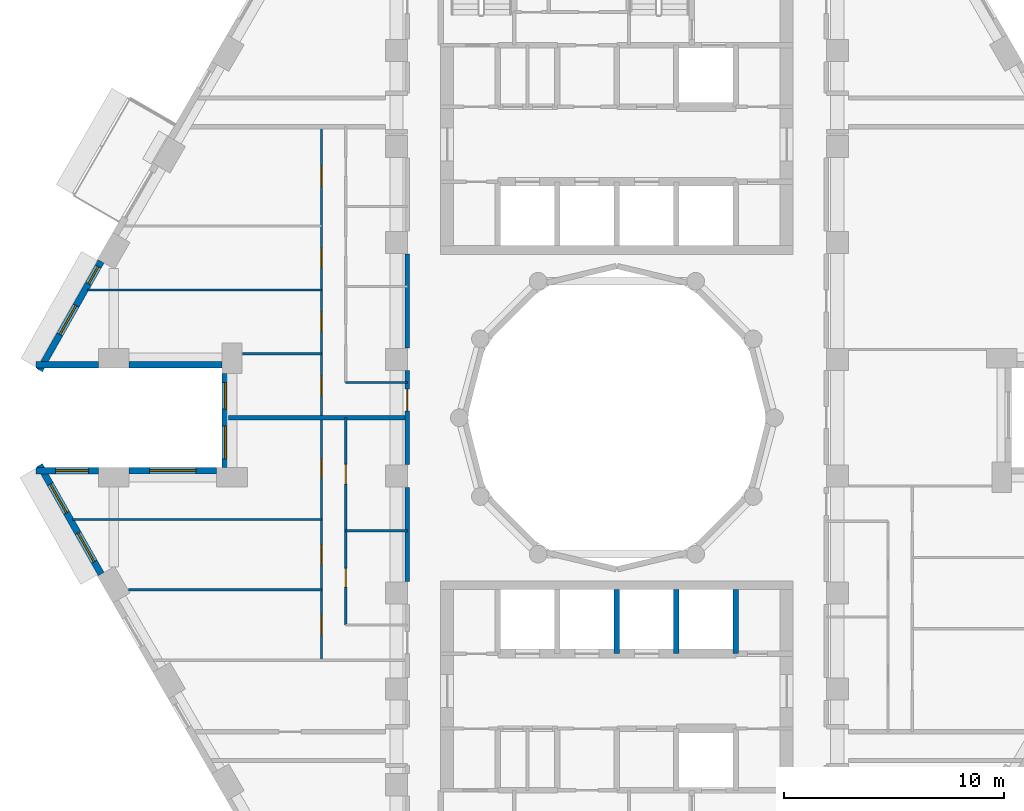
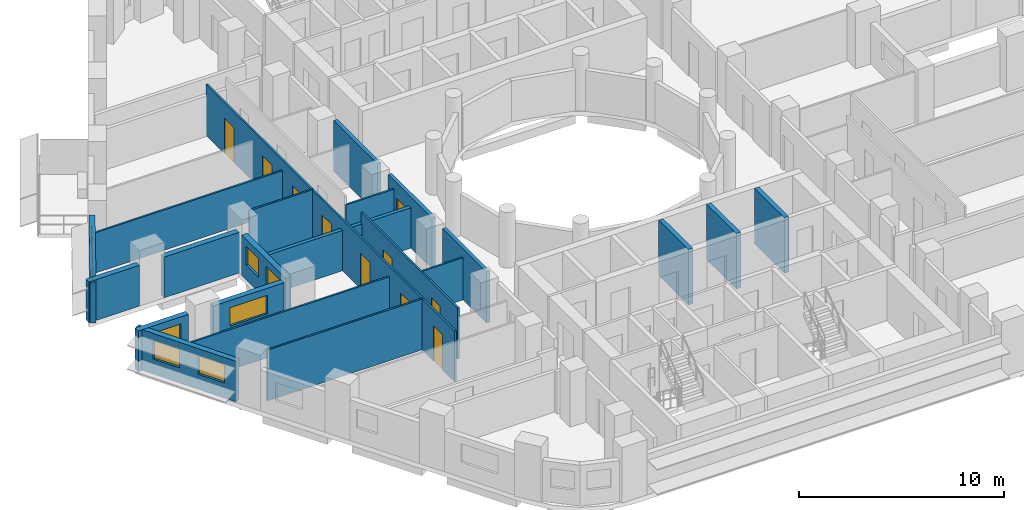
# One storey, part 4 of 14: 22 walls, 10 doors, 8 windows, 18 openings.
"""IFC4 building model written with IfcOpenShell, lengths in metres."""

from ifc_helpers import new_model, si_unit, direction, frame, frame_2d, origin, place, context, subcontext, project, spatial, rectangle, extrude, material, layer, layer_set, type_object, element, fill, save


model = new_model("IFC4")

# Units and contexts
model_context = context("Model", 3, precision=1e-05, world=origin(), true_north=direction((0.0, 1.0)))
body_context = subcontext(model_context, "Body", "Model", "MODEL_VIEW")
ifc_project = project(units=[si_unit("LENGTHUNIT", "METRE"), si_unit("AREAUNIT", "SQUARE_METRE"), si_unit("VOLUMEUNIT", "CUBIC_METRE"), si_unit("PLANEANGLEUNIT", "RADIAN"), si_unit("MASSUNIT", "GRAM", prefix="KILO")], contexts=[model_context])

# Site, building, storey
site_placement = place(None, origin())
site = spatial("IfcSite", under=ifc_project, at=site_placement, CompositionType="ELEMENT")
building_placement = place(site_placement, origin())
building = spatial("IfcBuilding", under=site, at=building_placement, Name="Nakaniwa Court", CompositionType="ELEMENT")
storey_placement = place(building_placement, frame((0.0, 0.0, 110.699951171875)))
storey = spatial("IfcBuildingStorey", under=building, at=storey_placement, Name="L29", CompositionType="ELEMENT", Elevation=110.699951171875)

# Wall
ifc_material_1 = material(Name="Acoustic double stud partition")
ifc_layer_1 = layer(ifc_material_1, 0.199951171875)
ifc_layer_set_1 = layer_set([ifc_layer_1], Name="Acoustic double stud partition")
wall_type_1 = type_object("IfcWallType", Name="Acoustic double stud partition 200", PredefinedType="PARTITIONING", material=ifc_layer_set_1)
wall_1_placement = place(storey_placement, frame((70.5, 72.56689453125, 0.0), z_axis=(0.0, 0.0, 1.0), x_axis=(0.0, 1.0, 0.0)))
element("IfcWall", 1, at=wall_1_placement, inside=storey, type_object=wall_type_1, Name="Partition PW-102", PredefinedType="PARTITIONING", context=body_context, shape_type="SweptSolid", body=[
    extrude(rectangle(XDim=4.26611328125, YDim=0.199951171875, at=frame_2d((2.133056640625, 0.0))), origin(), (0.0, 0.0, 1.0), 3.025146484375),
])

# Wall, opening, door
wall_2_placement = place(storey_placement, frame((70.5, 77.866943359375, 0.0), z_axis=(0.0, 0.0, 1.0), x_axis=(0.0, 1.0, 0.0)))
wall_2 = element("IfcWall", 2, at=wall_2_placement, inside=storey, type_object=wall_type_1, Name="Partition PW-103", PredefinedType="PARTITIONING", context=body_context, shape_type="SweptSolid", body=[
    extrude(rectangle(XDim=4.26611328125, YDim=0.199951171875, at=frame_2d((2.133056640625, 0.0))), origin(), (0.0, 0.0, 1.0), 3.025146484375),
])
opening_1_placement = place(wall_2_placement, frame((2.43310546875, 0.0, 0.0)))
opening_1 = element("IfcOpeningElement", 3, at=opening_1_placement, cuts=wall_2, Name="Opening D-01-03", PredefinedType="OPENING", context=body_context, shape_type="SweptSolid", body=[
    extrude(rectangle(XDim=1.0, YDim=2.10009765625, at=frame_2d((0.5, 1.050048828125))), frame((0.0, 0.10986328125, 0.0), z_axis=(0.0, -1.0, 0.0), x_axis=(1.0, 0.0, 0.0)), (0.0, 0.0, 1.0), 0.219970703125),
])
ifc_material_2 = material(Name="Solid core timber door set, black veneer", Category="wood")
door_type_1 = type_object("IfcDoorType", Name="Flat entrance door 1000", OperationType="NOTDEFINED", PredefinedType="DOOR", material=ifc_material_2)
door_1_placement = place(opening_1_placement, origin())
door_1 = element("IfcDoor", 4, at=door_1_placement, inside=storey, type_object=door_type_1, Name="Door D-01-03 L29-044", OperationType="SINGLE_SWING_LEFT", OverallHeight=2.10009765625, OverallWidth=1.0, PredefinedType="DOOR", context=body_context, shape_type="SweptSolid", body=[
    extrude(rectangle(XDim=1.0, YDim=2.10009765625, at=frame_2d((0.5, 1.050048828125))), frame((0.0, 0.02490234375, 0.0), z_axis=(0.0, -1.0, 0.0), x_axis=(1.0, 0.0, 0.0)), (0.0, 0.0, 1.0), 0.050048828125),
])
fill(opening_1, door_1)

# Walls
wall_3_placement = place(storey_placement, frame((70.5, 83.1669921875, 0.0), z_axis=(0.0, 0.0, 1.0), x_axis=(0.0, 1.0, 0.0)))
element("IfcWall", 5, at=wall_3_placement, inside=storey, type_object=wall_type_1, Name="Partition PW-104", PredefinedType="PARTITIONING", context=body_context, shape_type="SweptSolid", body=[
    extrude(rectangle(XDim=4.26611328125, YDim=0.199951171875, at=frame_2d((2.133056640625, 0.0))), origin(), (0.0, 0.0, 1.0), 3.025146484375),
])
wall_4_placement = place(storey_placement, frame((62.3916015625, 80.0, 0.0), z_axis=(0.0, 0.0, 1.0), x_axis=(1.0, 0.0, 0.0)))
element("IfcWall", 6, at=wall_4_placement, inside=storey, type_object=wall_type_1, Name="Partition PW-121", PredefinedType="PARTITIONING", context=body_context, shape_type="SweptSolid", body=[
    extrude(rectangle(XDim=8.1083984375, YDim=0.199951171875, at=frame_2d((4.05419921875, 0.0))), origin(), (0.0, 0.0, 1.0), 2.405029296875),
])

# Wall, openings, windows
ifc_material_3 = material(Name="Charcoal ceramic cladding")
ifc_layer_2 = layer(ifc_material_3, 0.02, Name="Ceramic cladding")
ifc_material_4 = material(Name="Ventilated air cavity")
ifc_layer_3 = layer(ifc_material_4, 0.04, ventilated=True, Name="Ventilated cavity")
ifc_material_5 = material(Name="Mineral wool insulation")
ifc_layer_4 = layer(ifc_material_5, 0.1, Name="Insulation")
ifc_material_6 = material(Name="Cement bonded sheathing board")
ifc_layer_5 = layer(ifc_material_6, 0.012, Name="Sheathing")
ifc_material_7 = material(Name="Cold-formed galvanised stud frame with mineral wool infill")
ifc_layer_6 = layer(ifc_material_7, 0.1, Name="Stud frame")
ifc_material_8 = material(Name="Fire-rated gypsum plasterboard lining")
ifc_layer_7 = layer(ifc_material_8, 0.028, Name="Lining")
ifc_layer_set_2 = layer_set([ifc_layer_2, ifc_layer_3, ifc_layer_4, ifc_layer_5, ifc_layer_6, ifc_layer_7], Name="Charcoal ceramic faced external wall system")
wall_type_2 = type_object("IfcWallType", Name="Black ceramic faced external wall 300", PredefinedType="SOLIDWALL", material=ifc_layer_set_2)
wall_5_placement = place(storey_placement, frame((56.609375, 87.09375, 0.0), z_axis=(0.0, 0.0, 1.0), x_axis=(-0.492456858874, -0.870336855561, 0.0)))
wall_5 = element("IfcWall", 7, at=wall_5_placement, inside=storey, type_object=wall_type_2, Name="L29 external wall 14", PredefinedType="SOLIDWALL", context=body_context, shape_type="SweptSolid", body=[
    extrude(rectangle(XDim=5.676513671875, YDim=0.300048828125, at=frame_2d((2.83837890625, 0.0))), origin(), (0.0, 0.0, 1.0), 2.425048828125),
])
opening_2_placement = place(wall_5_placement, frame((0.27294921875, 0.0, 0.89990234375)))
opening_2 = element("IfcOpeningElement", 8, at=opening_2_placement, cuts=wall_5, Name="Opening W9.11", PredefinedType="OPENING", context=body_context, shape_type="SweptSolid", body=[
    extrude(rectangle(XDim=0.89990234375, YDim=1.10009765625, at=frame_2d((0.449951171875, 0.550048828125))), frame((0.0, 0.159912109375, 0.0), z_axis=(0.0, -1.0, 0.0), x_axis=(1.0, 0.0, 0.0)), (0.0, 0.0, 1.0), 0.320068359375),
])
opening_3_placement = place(wall_5_placement, frame((2.310546875, 0.0, 0.89990234375)))
opening_3 = element("IfcOpeningElement", 9, at=opening_3_placement, cuts=wall_5, Name="Opening W5.12", PredefinedType="OPENING", context=body_context, shape_type="SweptSolid", body=[
    extrude(rectangle(XDim=1.5, YDim=1.10009765625, at=frame_2d((0.75, 0.550048828125))), frame((0.0, 0.159912109375, 0.0), z_axis=(0.0, -1.0, 0.0), x_axis=(1.0, 0.0, 0.0)), (0.0, 0.0, 1.0), 0.320068359375),
])
ifc_material_9 = material(Name="Black anodised aluminium frame with dark low-E laminated double glazing", Category="aluminium")
window_type_1 = type_object("IfcWindowType", Name="Dark glass window 1500x1100 sill 900", PartitioningType="SINGLE_PANEL", PredefinedType="WINDOW", material=ifc_material_9)
window_1_placement = place(opening_3_placement, origin())
window_1 = element("IfcWindow", 10, at=window_1_placement, inside=storey, type_object=window_type_1, Name="L29 bedroom window 14-1", OverallHeight=1.10009765625, OverallWidth=1.5, PartitioningType="SINGLE_PANEL", PredefinedType="WINDOW", context=body_context, shape_type="SweptSolid", body=[
    extrude(rectangle(XDim=1.5, YDim=1.10009765625, at=frame_2d((0.75, 0.550048828125))), frame((0.0, 0.030029296875, 0.0), z_axis=(0.0, -1.0, 0.0), x_axis=(1.0, 0.0, 0.0)), (0.0, 0.0, 1.0), 0.06005859375),
])
fill(opening_3, window_1)
window_type_2 = type_object("IfcWindowType", Name="Dark glass window 900x1100 sill 900", PartitioningType="SINGLE_PANEL", PredefinedType="WINDOW", material=ifc_material_9)
window_2_placement = place(opening_2_placement, origin())
window_2 = element("IfcWindow", 11, at=window_2_placement, inside=storey, type_object=window_type_2, Name="L29 bedroom window 14-0", OverallHeight=1.10009765625, OverallWidth=0.89990234375, PartitioningType="SINGLE_PANEL", PredefinedType="WINDOW", context=body_context, shape_type="SweptSolid", body=[
    extrude(rectangle(XDim=0.89990234375, YDim=1.10009765625, at=frame_2d((0.449951171875, 0.550048828125))), frame((0.0, 0.030029296875, 0.0), z_axis=(0.0, -1.0, 0.0), x_axis=(1.0, 0.0, 0.0)), (0.0, 0.0, 1.0), 0.06005859375),
])
fill(opening_2, window_2)

# Walls
wall_6_placement = place(storey_placement, frame((53.643310546875, 82.39990234375, 0.0), z_axis=(0.0, 0.0, 1.0), x_axis=(1.0, 0.0, 0.0)))
element("IfcWall", 12, at=wall_6_placement, inside=storey, type_object=wall_type_2, Name="L29 external wall 15", PredefinedType="SOLIDWALL", context=body_context, shape_type="SweptSolid", body=[
    extrude(rectangle(XDim=2.837890625, YDim=0.300048828125, at=frame_2d((1.4189453125, 0.0))), origin(), (0.0, 0.0, 1.0), 2.425048828125),
])
wall_7_placement = place(storey_placement, frame((57.873046875, 82.39990234375, 0.0), z_axis=(0.0, 0.0, 1.0), x_axis=(1.0, 0.0, 0.0)))
element("IfcWall", 13, at=wall_7_placement, inside=storey, type_object=wall_type_2, Name="L29 external wall 16", PredefinedType="SOLIDWALL", context=body_context, shape_type="SweptSolid", body=[
    extrude(rectangle(XDim=4.22265625, YDim=0.300048828125, at=frame_2d((2.111328125, 0.0))), origin(), (0.0, 0.0, 1.0), 2.425048828125),
])

# Wall, openings, windows
wall_8_placement = place(storey_placement, frame((62.24169921875, 82.00390625, 0.0), z_axis=(0.0, 0.0, 1.0), x_axis=(0.0, -1.0, 0.0)))
wall_8 = element("IfcWall", 14, at=wall_8_placement, inside=storey, type_object=wall_type_2, Name="L29 external wall 17", PredefinedType="SOLIDWALL", context=body_context, shape_type="SweptSolid", body=[
    extrude(rectangle(XDim=4.2578125, YDim=0.300048828125, at=frame_2d((2.12890625, 0.0))), origin(), (0.0, 0.0, 1.0), 2.425048828125),
])
opening_4_placement = place(wall_8_placement, frame((0.4140625, 0.0, 0.89990234375)))
opening_4 = element("IfcOpeningElement", 15, at=opening_4_placement, cuts=wall_8, Name="Opening W6.13", PredefinedType="OPENING", context=body_context, shape_type="SweptSolid", body=[
    extrude(rectangle(XDim=1.199951171875, YDim=1.10009765625, at=frame_2d((0.60009765625, 0.550048828125))), frame((0.0, 0.159912109375, 0.0), z_axis=(0.0, -1.0, 0.0), x_axis=(1.0, 0.0, 0.0)), (0.0, 0.0, 1.0), 0.320068359375),
])
opening_5_placement = place(wall_8_placement, frame((2.368896484375, 0.0, 0.89990234375)))
opening_5 = element("IfcOpeningElement", 16, at=opening_5_placement, cuts=wall_8, Name="Opening W5.14", PredefinedType="OPENING", context=body_context, shape_type="SweptSolid", body=[
    extrude(rectangle(XDim=1.5, YDim=1.10009765625, at=frame_2d((0.75, 0.550048828125))), frame((0.0, 0.159912109375, 0.0), z_axis=(0.0, -1.0, 0.0), x_axis=(1.0, 0.0, 0.0)), (0.0, 0.0, 1.0), 0.320068359375),
])
window_type_3 = type_object("IfcWindowType", Name="Dark glass window 1200x1100 sill 900", PartitioningType="SINGLE_PANEL", PredefinedType="WINDOW", material=ifc_material_9)
window_3_placement = place(opening_4_placement, origin())
window_3 = element("IfcWindow", 17, at=window_3_placement, inside=storey, type_object=window_type_3, Name="L29 bedroom window 17-0", OverallHeight=1.10009765625, OverallWidth=1.199951171875, PartitioningType="SINGLE_PANEL", PredefinedType="WINDOW", context=body_context, shape_type="SweptSolid", body=[
    extrude(rectangle(XDim=1.199951171875, YDim=1.10009765625, at=frame_2d((0.60009765625, 0.550048828125))), frame((0.0, 0.030029296875, 0.0), z_axis=(0.0, -1.0, 0.0), x_axis=(1.0, 0.0, 0.0)), (0.0, 0.0, 1.0), 0.06005859375),
])
fill(opening_4, window_3)
window_4_placement = place(opening_5_placement, origin())
window_4 = element("IfcWindow", 18, at=window_4_placement, inside=storey, type_object=window_type_1, Name="L29 living window 17-1", OverallHeight=1.10009765625, OverallWidth=1.5, PartitioningType="SINGLE_PANEL", PredefinedType="WINDOW", context=body_context, shape_type="SweptSolid", body=[
    extrude(rectangle(XDim=1.5, YDim=1.10009765625, at=frame_2d((0.75, 0.550048828125))), frame((0.0, 0.030029296875, 0.0), z_axis=(0.0, -1.0, 0.0), x_axis=(1.0, 0.0, 0.0)), (0.0, 0.0, 1.0), 0.06005859375),
])
fill(opening_5, window_4)

# Wall, opening, window
wall_9_placement = place(storey_placement, frame((61.845703125, 77.60009765625, 0.0), z_axis=(0.0, 0.0, 1.0), x_axis=(-1.0, 0.0, 0.0)))
wall_9 = element("IfcWall", 19, at=wall_9_placement, inside=storey, type_object=wall_type_2, Name="L29 external wall 18", PredefinedType="SOLIDWALL", context=body_context, shape_type="SweptSolid", body=[
    extrude(rectangle(XDim=3.97265625, YDim=0.300048828125, at=frame_2d((1.986328125, 0.0))), origin(), (0.0, 0.0, 1.0), 2.425048828125),
])
opening_6_placement = place(wall_9_placement, frame((0.936279296875, 0.0, 0.89990234375)))
opening_6 = element("IfcOpeningElement", 20, at=opening_6_placement, cuts=wall_9, Name="Opening W7.15", PredefinedType="OPENING", context=body_context, shape_type="SweptSolid", body=[
    extrude(rectangle(XDim=2.10009765625, YDim=1.10009765625, at=frame_2d((1.050048828125, 0.550048828125))), frame((0.0, 0.159912109375, 0.0), z_axis=(0.0, -1.0, 0.0), x_axis=(1.0, 0.0, 0.0)), (0.0, 0.0, 1.0), 0.320068359375),
])
window_type_4 = type_object("IfcWindowType", Name="Dark glass window 2100x1100 sill 900", PartitioningType="SINGLE_PANEL", PredefinedType="WINDOW", material=ifc_material_9)
window_5_placement = place(opening_6_placement, origin())
window_5 = element("IfcWindow", 21, at=window_5_placement, inside=storey, type_object=window_type_4, Name="L29 living window 18-0", OverallHeight=1.10009765625, OverallWidth=2.10009765625, PartitioningType="SINGLE_PANEL", PredefinedType="WINDOW", context=body_context, shape_type="SweptSolid", body=[
    extrude(rectangle(XDim=2.10009765625, YDim=1.10009765625, at=frame_2d((1.050048828125, 0.550048828125))), frame((0.0, 0.030029296875, 0.0), z_axis=(0.0, -1.0, 0.0), x_axis=(1.0, 0.0, 0.0)), (0.0, 0.0, 1.0), 0.06005859375),
])
fill(opening_6, window_5)

wall_10_placement = place(storey_placement, frame((56.481201171875, 77.60009765625, 0.0), z_axis=(0.0, 0.0, 1.0), x_axis=(-1.0, 0.0, 0.0)))
wall_10 = element("IfcWall", 22, at=wall_10_placement, inside=storey, type_object=wall_type_2, Name="L29 external wall 19", PredefinedType="SOLIDWALL", context=body_context, shape_type="SweptSolid", body=[
    extrude(rectangle(XDim=2.837890625, YDim=0.300048828125, at=frame_2d((1.4189453125, 0.0))), origin(), (0.0, 0.0, 1.0), 2.425048828125),
])
opening_7_placement = place(wall_10_placement, frame((0.44384765625, 0.0, 0.89990234375)))
opening_7 = element("IfcOpeningElement", 23, at=opening_7_placement, cuts=wall_10, Name="Opening W5.16", PredefinedType="OPENING", context=body_context, shape_type="SweptSolid", body=[
    extrude(rectangle(XDim=1.5, YDim=1.10009765625, at=frame_2d((0.75, 0.550048828125))), frame((0.0, 0.159912109375, 0.0), z_axis=(0.0, -1.0, 0.0), x_axis=(1.0, 0.0, 0.0)), (0.0, 0.0, 1.0), 0.320068359375),
])
window_6_placement = place(opening_7_placement, origin())
window_6 = element("IfcWindow", 24, at=window_6_placement, inside=storey, type_object=window_type_1, Name="L29 living window 19-0", OverallHeight=1.10009765625, OverallWidth=1.5, PartitioningType="SINGLE_PANEL", PredefinedType="WINDOW", context=body_context, shape_type="SweptSolid", body=[
    extrude(rectangle(XDim=1.5, YDim=1.10009765625, at=frame_2d((0.75, 0.550048828125))), frame((0.0, 0.030029296875, 0.0), z_axis=(0.0, -1.0, 0.0), x_axis=(1.0, 0.0, 0.0)), (0.0, 0.0, 1.0), 0.06005859375),
])
fill(opening_7, window_6)

# Wall, openings, windows
wall_11_placement = place(storey_placement, frame((53.81396484375, 77.8466796875, 0.0), z_axis=(0.0, 0.0, 1.0), x_axis=(0.492456858874, -0.870336855561, 0.0)))
wall_11 = element("IfcWall", 25, at=wall_11_placement, inside=storey, type_object=wall_type_2, Name="L29 external wall 20", PredefinedType="SOLIDWALL", context=body_context, shape_type="SweptSolid", body=[
    extrude(rectangle(XDim=5.676513671875, YDim=0.300048828125, at=frame_2d((2.83837890625, 0.0))), origin(), (0.0, 0.0, 1.0), 2.425048828125),
])
opening_8_placement = place(wall_11_placement, frame((0.987060546875, 0.0, 0.89990234375)))
opening_8 = element("IfcOpeningElement", 26, at=opening_8_placement, cuts=wall_11, Name="Opening W5.17", PredefinedType="OPENING", context=body_context, shape_type="SweptSolid", body=[
    extrude(rectangle(XDim=1.5, YDim=1.10009765625, at=frame_2d((0.75, 0.550048828125))), frame((0.0, 0.159912109375, 0.0), z_axis=(0.0, -1.0, 0.0), x_axis=(1.0, 0.0, 0.0)), (0.0, 0.0, 1.0), 0.320068359375),
])
opening_9_placement = place(wall_11_placement, frame((3.53662109375, 0.0, 0.89990234375)))
opening_9 = element("IfcOpeningElement", 27, at=opening_9_placement, cuts=wall_11, Name="Opening W5.18", PredefinedType="OPENING", context=body_context, shape_type="SweptSolid", body=[
    extrude(rectangle(XDim=1.5, YDim=1.10009765625, at=frame_2d((0.75, 0.550048828125))), frame((0.0, 0.159912109375, 0.0), z_axis=(0.0, -1.0, 0.0), x_axis=(1.0, 0.0, 0.0)), (0.0, 0.0, 1.0), 0.320068359375),
])
window_7_placement = place(opening_8_placement, origin())
window_7 = element("IfcWindow", 28, at=window_7_placement, inside=storey, type_object=window_type_1, Name="L29 living window 20-0", OverallHeight=1.10009765625, OverallWidth=1.5, PartitioningType="SINGLE_PANEL", PredefinedType="WINDOW", context=body_context, shape_type="SweptSolid", body=[
    extrude(rectangle(XDim=1.5, YDim=1.10009765625, at=frame_2d((0.75, 0.550048828125))), frame((0.0, 0.030029296875, 0.0), z_axis=(0.0, -1.0, 0.0), x_axis=(1.0, 0.0, 0.0)), (0.0, 0.0, 1.0), 0.06005859375),
])
fill(opening_8, window_7)
window_8_placement = place(opening_9_placement, origin())
window_8 = element("IfcWindow", 29, at=window_8_placement, inside=storey, type_object=window_type_1, Name="L29 bedroom window 20-1", OverallHeight=1.10009765625, OverallWidth=1.5, PartitioningType="SINGLE_PANEL", PredefinedType="WINDOW", context=body_context, shape_type="SweptSolid", body=[
    extrude(rectangle(XDim=1.5, YDim=1.10009765625, at=frame_2d((0.75, 0.550048828125))), frame((0.0, 0.030029296875, 0.0), z_axis=(0.0, -1.0, 0.0), x_axis=(1.0, 0.0, 0.0)), (0.0, 0.0, 1.0), 0.06005859375),
])
fill(opening_9, window_8)

# Walls
ifc_material_10 = material(Name="Concrete C80/100", Category="concrete")
ifc_layer_8 = layer(ifc_material_10, 0.25)
ifc_layer_set_3 = layer_set([ifc_layer_8], Name="Concrete C80/100")
wall_type_3 = type_object("IfcWallType", Name="Concrete shaft wall 250 C80", PredefinedType="SHEAR", material=ifc_layer_set_3)
for number, where, z_axis, x_axis, name in (
    (30, (80.0, 69.300048828125, -0.27490234375), (0.0, 0.0, 1.0), (0.0, 1.0, 0.0), "Core wall SW-43"),
    (31, (82.699951171875, 69.300048828125, -0.27490234375), (0.0, 0.0, 1.0), (0.0, 1.0, 0.0), "Core wall SW-45"),
    (32, (85.39990234375, 69.300048828125, -0.27490234375), (0.0, 0.0, 1.0), (0.0, 1.0, 0.0), "Core wall SW-47"),
):
    element("IfcWall", number, at=place(storey_placement, frame(where, z_axis=z_axis, x_axis=x_axis)), inside=storey, type_object=wall_type_3, Name=name, PredefinedType="SHEAR", context=body_context, shape_type="SweptSolid", body=[
        extrude(rectangle(XDim=2.89990234375, YDim=0.25, at=frame_2d((1.449951171875, 0.0))), origin(), (0.0, 0.0, 1.0), 3.300048828125),
    ])
ifc_material_11 = material(Name="Single stud plasterboard partition")
ifc_layer_9 = layer(ifc_material_11, 0.10009765625)
ifc_layer_set_4 = layer_set([ifc_layer_9], Name="Single stud plasterboard partition")
wall_type_4 = type_object("IfcWallType", Name="Single stud plasterboard partition 100", PredefinedType="PARTITIONING", material=ifc_layer_set_4)
wall_12_placement = place(storey_placement, frame((67.699951171875, 74.873046875, 0.0), z_axis=(0.0, 0.0, 1.0), x_axis=(1.0, 0.0, 0.0)))
element("IfcWall", 33, at=wall_12_placement, inside=storey, type_object=wall_type_4, Name="Partition PW-117", PredefinedType="PARTITIONING", context=body_context, shape_type="SweptSolid", body=[
    extrude(rectangle(XDim=2.800048828125, YDim=0.10009765625, at=frame_2d((1.39990234375, 0.0))), origin(), (0.0, 0.0, 1.0), 2.505126953125),
])

# Wall, openings, doors
wall_13_placement = place(storey_placement, frame((67.699951171875, 80.0, 0.0), z_axis=(0.0, 0.0, 1.0), x_axis=(0.0, -1.0, 0.0)))
wall_13 = element("IfcWall", 34, at=wall_13_placement, inside=storey, type_object=wall_type_4, Name="Partition PW-119", PredefinedType="PARTITIONING", context=body_context, shape_type="SweptSolid", body=[
    extrude(rectangle(XDim=9.39990234375, YDim=0.10009765625, at=frame_2d((4.699951171875, 0.0))), origin(), (0.0, 0.0, 1.0), 3.025146484375),
])
opening_10_placement = place(wall_13_placement, frame((6.839111328125, 0.0, 0.0)))
opening_10 = element("IfcOpeningElement", 35, at=opening_10_placement, cuts=wall_13, Name="Opening D-03-02", PredefinedType="OPENING", context=body_context, shape_type="SweptSolid", body=[
    extrude(rectangle(XDim=0.85009765625, YDim=2.10009765625, at=frame_2d((0.425048828125, 1.050048828125))), frame((0.0, 0.06005859375, 0.0), z_axis=(0.0, -1.0, 0.0), x_axis=(1.0, 0.0, 0.0)), (0.0, 0.0, 1.0), 0.1201171875),
])
opening_11_placement = place(wall_13_placement, frame((2.114013671875, 0.0, 0.0)))
opening_11 = element("IfcOpeningElement", 36, at=opening_11_placement, cuts=wall_13, Name="Opening D-33-05", PredefinedType="OPENING", context=body_context, shape_type="SweptSolid", body=[
    extrude(rectangle(XDim=0.89990234375, YDim=2.10009765625, at=frame_2d((0.449951171875, 1.050048828125))), frame((0.0, 0.06005859375, 0.0), z_axis=(0.0, -1.0, 0.0), x_axis=(1.0, 0.0, 0.0)), (0.0, 0.0, 1.0), 0.1201171875),
])
ifc_material_12 = material(Name="Moisture sealed timber door set", Category="wood")
door_type_2 = type_object("IfcDoorType", Name="Bathroom door 850", OperationType="NOTDEFINED", PredefinedType="DOOR", material=ifc_material_12)
door_2_placement = place(opening_10_placement, origin())
door_2 = element("IfcDoor", 37, at=door_2_placement, inside=storey, type_object=door_type_2, Name="Door D-03-02 L29-039", OperationType="SINGLE_SWING_RIGHT", OverallHeight=2.10009765625, OverallWidth=0.85009765625, PredefinedType="DOOR", context=body_context, shape_type="SweptSolid", body=[
    extrude(rectangle(XDim=0.85009765625, YDim=2.10009765625, at=frame_2d((0.425048828125, 1.050048828125))), frame((0.0, 0.02490234375, 0.0), z_axis=(0.0, -1.0, 0.0), x_axis=(1.0, 0.0, 0.0)), (0.0, 0.0, 1.0), 0.050048828125),
])
fill(opening_10, door_2)
door_type_3 = type_object("IfcDoorType", Name="Internal door 900", OperationType="NOTDEFINED", PredefinedType="DOOR", material=ifc_material_2)
door_3_placement = place(opening_11_placement, origin())
door_3 = element("IfcDoor", 38, at=door_3_placement, inside=storey, type_object=door_type_3, Name="Door D-33-05 L29-040", OperationType="SINGLE_SWING_LEFT", OverallHeight=2.10009765625, OverallWidth=0.89990234375, PredefinedType="DOOR", context=body_context, shape_type="SweptSolid", body=[
    extrude(rectangle(XDim=0.89990234375, YDim=2.10009765625, at=frame_2d((0.449951171875, 1.050048828125))), frame((0.0, 0.02490234375, 0.0), z_axis=(0.0, -1.0, 0.0), x_axis=(1.0, 0.0, 0.0)), (0.0, 0.0, 1.0), 0.050048828125),
])
fill(opening_11, door_3)

wall_14_placement = place(storey_placement, frame((66.60009765625, 69.0, 0.0), z_axis=(0.0, 0.0, 1.0), x_axis=(0.0, 1.0, 0.0)))
wall_14 = element("IfcWall", 39, at=wall_14_placement, inside=storey, type_object=wall_type_4, Name="Partition PW-122", PredefinedType="PARTITIONING", context=body_context, shape_type="SweptSolid", body=[
    extrude(rectangle(XDim=24.199951171875, YDim=0.10009765625, at=frame_2d((12.10009765625, 0.0))), origin(), (0.0, 0.0, 1.0), 3.025146484375),
])
opening_12_placement = place(wall_14_placement, frame((1.14697265625, 0.0, 0.0)))
opening_12 = element("IfcOpeningElement", 40, at=opening_12_placement, cuts=wall_14, Name="Opening D-33-06", PredefinedType="OPENING", context=body_context, shape_type="SweptSolid", body=[
    extrude(rectangle(XDim=0.89990234375, YDim=2.10009765625, at=frame_2d((0.449951171875, 1.050048828125))), frame((0.0, 0.06005859375, 0.0), z_axis=(0.0, -1.0, 0.0), x_axis=(1.0, 0.0, 0.0)), (0.0, 0.0, 1.0), 0.1201171875),
])
opening_13_placement = place(wall_14_placement, frame((4.340087890625, 0.0, 0.0)))
opening_13 = element("IfcOpeningElement", 41, at=opening_13_placement, cuts=wall_14, Name="Opening D-33-07", PredefinedType="OPENING", context=body_context, shape_type="SweptSolid", body=[
    extrude(rectangle(XDim=0.89990234375, YDim=2.10009765625, at=frame_2d((0.449951171875, 1.050048828125))), frame((0.0, 0.06005859375, 0.0), z_axis=(0.0, -1.0, 0.0), x_axis=(1.0, 0.0, 0.0)), (0.0, 0.0, 1.0), 0.1201171875),
])
opening_14_placement = place(wall_14_placement, frame((8.243896484375, 0.0, 0.0)))
opening_14 = element("IfcOpeningElement", 42, at=opening_14_placement, cuts=wall_14, Name="Opening D-33-08", PredefinedType="OPENING", context=body_context, shape_type="SweptSolid", body=[
    extrude(rectangle(XDim=0.89990234375, YDim=2.10009765625, at=frame_2d((0.449951171875, 1.050048828125))), frame((0.0, 0.06005859375, 0.0), z_axis=(0.0, -1.0, 0.0), x_axis=(1.0, 0.0, 0.0)), (0.0, 0.0, 1.0), 0.1201171875),
])
opening_15_placement = place(wall_14_placement, frame((11.9990234375, 0.0, 0.0)))
opening_15 = element("IfcOpeningElement", 43, at=opening_15_placement, cuts=wall_14, Name="Opening D-33-10", PredefinedType="OPENING", context=body_context, shape_type="SweptSolid", body=[
    extrude(rectangle(XDim=0.89990234375, YDim=2.10009765625, at=frame_2d((0.449951171875, 1.050048828125))), frame((0.0, 0.06005859375, 0.0), z_axis=(0.0, -1.0, 0.0), x_axis=(1.0, 0.0, 0.0)), (0.0, 0.0, 1.0), 0.1201171875),
])
opening_16_placement = place(wall_14_placement, frame((14.89599609375, 0.0, 0.0)))
opening_16 = element("IfcOpeningElement", 44, at=opening_16_placement, cuts=wall_14, Name="Opening D-33-11", PredefinedType="OPENING", context=body_context, shape_type="SweptSolid", body=[
    extrude(rectangle(XDim=0.89990234375, YDim=2.10009765625, at=frame_2d((0.449951171875, 1.050048828125))), frame((0.0, 0.06005859375, 0.0), z_axis=(0.0, -1.0, 0.0), x_axis=(1.0, 0.0, 0.0)), (0.0, 0.0, 1.0), 0.1201171875),
])
opening_17_placement = place(wall_14_placement, frame((17.7939453125, 0.0, 0.0)))
opening_17 = element("IfcOpeningElement", 45, at=opening_17_placement, cuts=wall_14, Name="Opening D-33-12", PredefinedType="OPENING", context=body_context, shape_type="SweptSolid", body=[
    extrude(rectangle(XDim=0.89990234375, YDim=2.10009765625, at=frame_2d((0.449951171875, 1.050048828125))), frame((0.0, 0.06005859375, 0.0), z_axis=(0.0, -1.0, 0.0), x_axis=(1.0, 0.0, 0.0)), (0.0, 0.0, 1.0), 0.1201171875),
])
opening_18_placement = place(wall_14_placement, frame((21.49609375, 0.0, 0.0)))
opening_18 = element("IfcOpeningElement", 46, at=opening_18_placement, cuts=wall_14, Name="Opening D-33-13", PredefinedType="OPENING", context=body_context, shape_type="SweptSolid", body=[
    extrude(rectangle(XDim=0.89990234375, YDim=2.10009765625, at=frame_2d((0.449951171875, 1.050048828125))), frame((0.0, 0.06005859375, 0.0), z_axis=(0.0, -1.0, 0.0), x_axis=(1.0, 0.0, 0.0)), (0.0, 0.0, 1.0), 0.1201171875),
])
door_4_placement = place(opening_12_placement, origin())
door_4 = element("IfcDoor", 47, at=door_4_placement, inside=storey, type_object=door_type_3, Name="Door D-33-06 L29-041", OperationType="SINGLE_SWING_RIGHT", OverallHeight=2.10009765625, OverallWidth=0.89990234375, PredefinedType="DOOR", context=body_context, shape_type="SweptSolid", body=[
    extrude(rectangle(XDim=0.89990234375, YDim=2.10009765625, at=frame_2d((0.449951171875, 1.050048828125))), frame((0.0, 0.02490234375, 0.0), z_axis=(0.0, -1.0, 0.0), x_axis=(1.0, 0.0, 0.0)), (0.0, 0.0, 1.0), 0.050048828125),
])
fill(opening_12, door_4)
door_5_placement = place(opening_13_placement, origin())
door_5 = element("IfcDoor", 48, at=door_5_placement, inside=storey, type_object=door_type_3, Name="Door D-33-07 L29-042", OperationType="SINGLE_SWING_LEFT", OverallHeight=2.10009765625, OverallWidth=0.89990234375, PredefinedType="DOOR", context=body_context, shape_type="SweptSolid", body=[
    extrude(rectangle(XDim=0.89990234375, YDim=2.10009765625, at=frame_2d((0.449951171875, 1.050048828125))), frame((0.0, 0.02490234375, 0.0), z_axis=(0.0, -1.0, 0.0), x_axis=(1.0, 0.0, 0.0)), (0.0, 0.0, 1.0), 0.050048828125),
])
fill(opening_13, door_5)
door_6_placement = place(opening_14_placement, origin())
door_6 = element("IfcDoor", 49, at=door_6_placement, inside=storey, type_object=door_type_3, Name="Door D-33-08 L29-043", OperationType="SINGLE_SWING_RIGHT", OverallHeight=2.10009765625, OverallWidth=0.89990234375, PredefinedType="DOOR", context=body_context, shape_type="SweptSolid", body=[
    extrude(rectangle(XDim=0.89990234375, YDim=2.10009765625, at=frame_2d((0.449951171875, 1.050048828125))), frame((0.0, 0.02490234375, 0.0), z_axis=(0.0, -1.0, 0.0), x_axis=(1.0, 0.0, 0.0)), (0.0, 0.0, 1.0), 0.050048828125),
])
fill(opening_14, door_6)
door_7_placement = place(opening_15_placement, origin())
door_7 = element("IfcDoor", 50, at=door_7_placement, inside=storey, type_object=door_type_3, Name="Door D-33-10 L29-048", OperationType="SINGLE_SWING_LEFT", OverallHeight=2.10009765625, OverallWidth=0.89990234375, PredefinedType="DOOR", context=body_context, shape_type="SweptSolid", body=[
    extrude(rectangle(XDim=0.89990234375, YDim=2.10009765625, at=frame_2d((0.449951171875, 1.050048828125))), frame((0.0, 0.02490234375, 0.0), z_axis=(0.0, -1.0, 0.0), x_axis=(1.0, 0.0, 0.0)), (0.0, 0.0, 1.0), 0.050048828125),
])
fill(opening_15, door_7)
door_8_placement = place(opening_16_placement, origin())
door_8 = element("IfcDoor", 51, at=door_8_placement, inside=storey, type_object=door_type_3, Name="Door D-33-11 L29-049", OperationType="SINGLE_SWING_RIGHT", OverallHeight=2.10009765625, OverallWidth=0.89990234375, PredefinedType="DOOR", context=body_context, shape_type="SweptSolid", body=[
    extrude(rectangle(XDim=0.89990234375, YDim=2.10009765625, at=frame_2d((0.449951171875, 1.050048828125))), frame((0.0, 0.02490234375, 0.0), z_axis=(0.0, -1.0, 0.0), x_axis=(1.0, 0.0, 0.0)), (0.0, 0.0, 1.0), 0.050048828125),
])
fill(opening_16, door_8)
door_9_placement = place(opening_17_placement, origin())
door_9 = element("IfcDoor", 52, at=door_9_placement, inside=storey, type_object=door_type_3, Name="Door D-33-12 L29-050", OperationType="SINGLE_SWING_LEFT", OverallHeight=2.10009765625, OverallWidth=0.89990234375, PredefinedType="DOOR", context=body_context, shape_type="SweptSolid", body=[
    extrude(rectangle(XDim=0.89990234375, YDim=2.10009765625, at=frame_2d((0.449951171875, 1.050048828125))), frame((0.0, 0.02490234375, 0.0), z_axis=(0.0, -1.0, 0.0), x_axis=(1.0, 0.0, 0.0)), (0.0, 0.0, 1.0), 0.050048828125),
])
fill(opening_17, door_9)
door_10_placement = place(opening_18_placement, origin())
door_10 = element("IfcDoor", 53, at=door_10_placement, inside=storey, type_object=door_type_3, Name="Door D-33-13 L29-051", OperationType="SINGLE_SWING_RIGHT", OverallHeight=2.10009765625, OverallWidth=0.89990234375, PredefinedType="DOOR", context=body_context, shape_type="SweptSolid", body=[
    extrude(rectangle(XDim=0.89990234375, YDim=2.10009765625, at=frame_2d((0.449951171875, 1.050048828125))), frame((0.0, 0.02490234375, 0.0), z_axis=(0.0, -1.0, 0.0), x_axis=(1.0, 0.0, 0.0)), (0.0, 0.0, 1.0), 0.050048828125),
])
fill(opening_18, door_10)

# Walls
wall_15_placement = place(storey_placement, frame((57.8564453125, 72.194091796875, 0.0), z_axis=(0.0, 0.0, 1.0), x_axis=(1.0, 0.0, 0.0)))
element("IfcWall", 54, at=wall_15_placement, inside=storey, type_object=wall_type_4, Name="Partition PW-124", PredefinedType="PARTITIONING", context=body_context, shape_type="SweptSolid", body=[
    extrude(rectangle(XDim=8.74365234375, YDim=0.10009765625, at=frame_2d((4.371826171875, 0.0))), origin(), (0.0, 0.0, 1.0), 3.025146484375),
])
wall_16_placement = place(storey_placement, frame((55.296875, 75.386962890625, 0.0), z_axis=(0.0, 0.0, 1.0), x_axis=(1.0, 0.0, 0.0)))
element("IfcWall", 55, at=wall_16_placement, inside=storey, type_object=wall_type_4, Name="Partition PW-125", PredefinedType="PARTITIONING", context=body_context, shape_type="SweptSolid", body=[
    extrude(rectangle(XDim=11.30322265625, YDim=0.10009765625, at=frame_2d((5.651611328125, 0.0))), origin(), (0.0, 0.0, 1.0), 2.405029296875),
])
wall_17_placement = place(storey_placement, frame((67.699951171875, 81.60009765625, 0.0), z_axis=(0.0, 0.0, 1.0), x_axis=(1.0, 0.0, 0.0)))
element("IfcWall", 56, at=wall_17_placement, inside=storey, type_object=wall_type_4, Name="Partition PW-127", PredefinedType="PARTITIONING", context=body_context, shape_type="SweptSolid", body=[
    extrude(rectangle(XDim=2.800048828125, YDim=0.10009765625, at=frame_2d((1.39990234375, 0.0))), origin(), (0.0, 0.0, 1.0), 2.505126953125),
])
wall_18_placement = place(storey_placement, frame((63.01171875, 82.89794921875, 0.0), z_axis=(0.0, 0.0, 1.0), x_axis=(1.0, 0.0, 0.0)))
element("IfcWall", 57, at=wall_18_placement, inside=storey, type_object=wall_type_4, Name="Partition PW-129", PredefinedType="PARTITIONING", context=body_context, shape_type="SweptSolid", body=[
    extrude(rectangle(XDim=3.58837890625, YDim=0.10009765625, at=frame_2d((1.794189453125, 0.0))), origin(), (0.0, 0.0, 1.0), 3.025146484375),
])
wall_19_placement = place(storey_placement, frame((55.9794921875, 85.794921875, 0.0), z_axis=(0.0, 0.0, 1.0), x_axis=(1.0, 0.0, 0.0)))
element("IfcWall", 58, at=wall_19_placement, inside=storey, type_object=wall_type_4, Name="Partition PW-130", PredefinedType="PARTITIONING", context=body_context, shape_type="SweptSolid", body=[
    extrude(rectangle(XDim=10.62060546875, YDim=0.10009765625, at=frame_2d((5.310302734375, 0.0))), origin(), (0.0, 0.0, 1.0), 2.405029296875),
])

save(model, "model.ifc")
